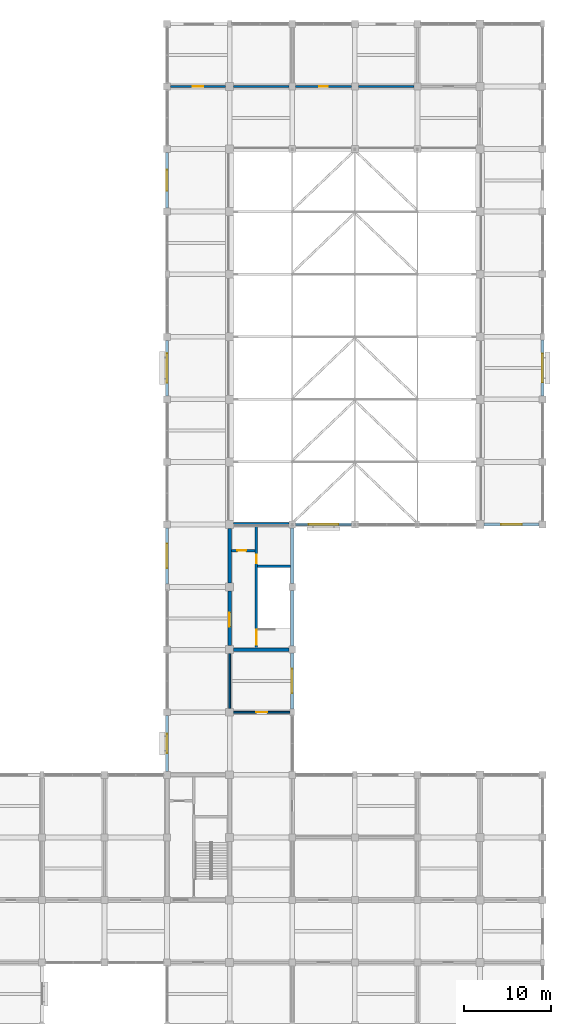
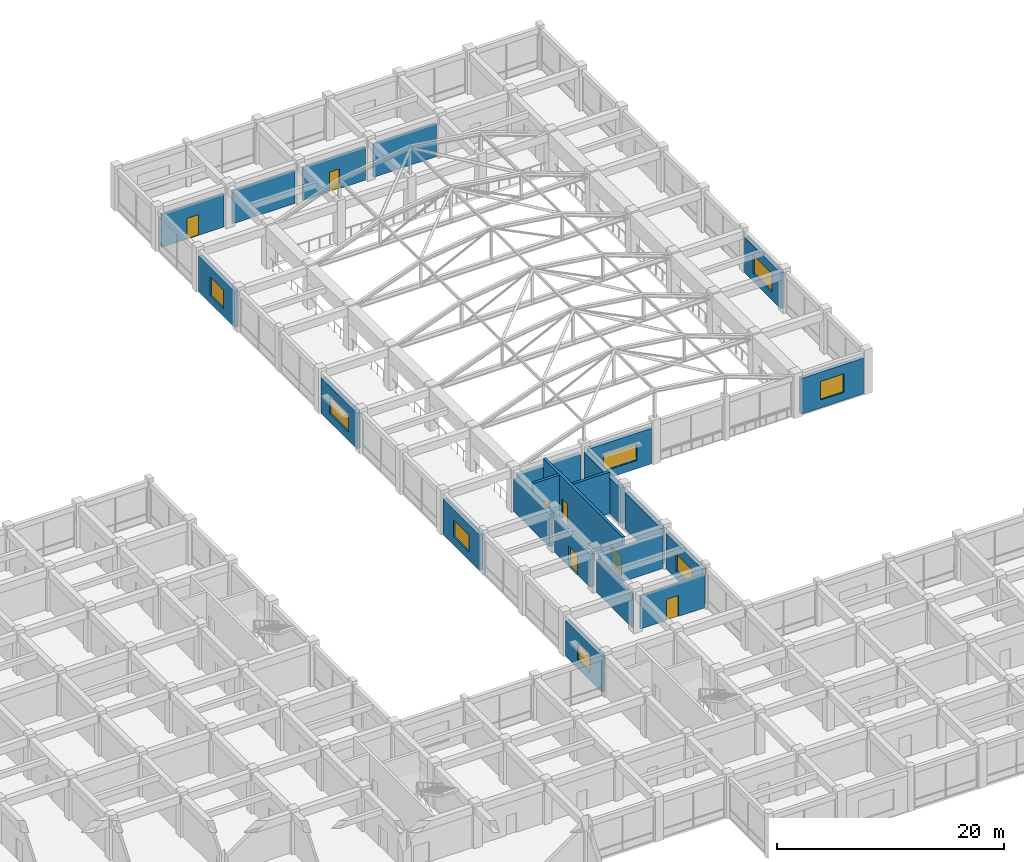
# One storey, part 64 of 75: 23 walls, 8 windows, 7 doors, 15 openings.
"""IFC4 building model written with IfcOpenShell, lengths in metres."""

from ifc_helpers import new_model, si_unit, direction, frame, frame_2d, origin, place, context, subcontext, project, spatial, rectangle, extrude, material, layer, layer_set, type_object, element, fill, save


model = new_model("IFC4")

# Units and contexts
model_context = context("Model", 3, precision=1e-05, world=origin(), true_north=direction((0.0, 1.0)))
body_context = subcontext(model_context, "Body", "Model", "MODEL_VIEW")
ifc_project = project(units=[si_unit("LENGTHUNIT", "METRE"), si_unit("AREAUNIT", "SQUARE_METRE"), si_unit("VOLUMEUNIT", "CUBIC_METRE"), si_unit("PLANEANGLEUNIT", "RADIAN"), si_unit("MASSUNIT", "GRAM", prefix="KILO")], contexts=[model_context])

# Site, building, storey
site_placement = place(None, origin())
site = spatial("IfcSite", under=ifc_project, at=site_placement, CompositionType="ELEMENT")
building_placement = place(site_placement, origin())
building = spatial("IfcBuilding", under=site, at=building_placement, Name="Cendaluz Park School", CompositionType="ELEMENT")
storey_placement = place(building_placement, frame((0.0, 0.0, 4.800048828125)))
storey = spatial("IfcBuildingStorey", under=building, at=storey_placement, Name="L01", CompositionType="ELEMENT", Elevation=4.800048828125)

# Wall, opening, door
ifc_material_1 = material(Name="Gypsum Plasterboard on Cold-Formed Stud", Category="gypsum")
ifc_layer_1 = layer(ifc_material_1, 0.199951171875)
ifc_layer_set_1 = layer_set([ifc_layer_1], Name="Gypsum Plasterboard on Cold-Formed Stud")
wall_type_1 = type_object("IfcWallType", Name="W-AC20", PredefinedType="PARTITIONING", material=ifc_layer_set_1)
wall_1_placement = place(storey_placement, frame((130.0, 108.0, 0.0), z_axis=(0.0, 0.0, 1.0), x_axis=(1.0, 0.0, 0.0)))
wall_1 = element("IfcWall", 1, at=wall_1_placement, inside=storey, type_object=wall_type_1, Name="WL-FB-CA7", PredefinedType="PARTITIONING", context=body_context, shape_type="SweptSolid", body=[
    extrude(rectangle(XDim=6.35009765625, YDim=0.199951171875, at=frame_2d((3.175048828125, 0.0))), origin(), (0.0, 0.0, 1.0), 3.579833984375),
])
opening_1_placement = place(wall_1_placement, frame((2.574951171875, 0.0, 0.0)))
opening_1 = element("IfcOpeningElement", 2, at=opening_1_placement, cuts=wall_1, Name="Opening DCL-08", PredefinedType="OPENING", context=body_context, shape_type="SweptSolid", body=[
    extrude(rectangle(XDim=1.199951171875, YDim=2.239990234375, at=frame_2d((0.60009765625, 1.1201171875))), frame((0.0, 0.112060546875, 0.0), z_axis=(0.0, -1.0, 0.0), x_axis=(1.0, 0.0, 0.0)), (0.0, 0.0, 1.0), 0.223876953125),
])
ifc_material_2 = material(Name="Solid Core Hardwood", Category="wood")
door_type_1 = type_object("IfcDoorType", Name="DCL-08", OperationType="NOTDEFINED", PredefinedType="DOOR", material=ifc_material_2)
door_1_placement = place(opening_1_placement, origin())
door_1 = element("IfcDoor", 3, at=door_1_placement, inside=storey, type_object=door_type_1, Name="D-L01-080", OperationType="SINGLE_SWING_RIGHT", OverallHeight=2.239990234375, OverallWidth=1.199951171875, PredefinedType="DOOR", context=body_context, shape_type="SweptSolid", body=[
    extrude(rectangle(XDim=1.199951171875, YDim=2.239990234375, at=frame_2d((0.60009765625, 1.1201171875))), frame((0.0, 0.02490234375, 0.0), z_axis=(0.0, -1.0, 0.0), x_axis=(1.0, 0.0, 0.0)), (0.0, 0.0, 1.0), 0.050048828125),
])
fill(opening_1, door_1)

# Wall
wall_2_placement = place(storey_placement, frame((137.25, 108.0, 0.0), z_axis=(0.0, 0.0, 1.0), x_axis=(1.0, 0.0, 0.0)))
element("IfcWall", 4, at=wall_2_placement, inside=storey, type_object=wall_type_1, Name="WL-FB-CA8", PredefinedType="PARTITIONING", context=body_context, shape_type="SweptSolid", body=[
    extrude(rectangle(XDim=6.35009765625, YDim=0.199951171875, at=frame_2d((3.175048828125, 0.0))), origin(), (0.0, 0.0, 1.0), 3.579833984375),
])

# Wall, opening, door
wall_3_placement = place(storey_placement, frame((137.25, 36.0, 0.0), z_axis=(0.0, 0.0, 1.0), x_axis=(1.0, 0.0, 0.0)))
wall_3 = element("IfcWall", 5, at=wall_3_placement, inside=storey, type_object=wall_type_1, Name="WL-FB-CB0", PredefinedType="PARTITIONING", context=body_context, shape_type="SweptSolid", body=[
    extrude(rectangle(XDim=6.5, YDim=0.199951171875, at=frame_2d((3.25, 0.0))), origin(), (0.0, 0.0, 1.0), 3.579833984375),
])
opening_2_placement = place(wall_3_placement, frame((2.6298828125, 0.0, 0.0)))
opening_2 = element("IfcOpeningElement", 6, at=opening_2_placement, cuts=wall_3, Name="Opening DCL-09", PredefinedType="OPENING", context=body_context, shape_type="SweptSolid", body=[
    extrude(rectangle(XDim=1.239990234375, YDim=2.260009765625, at=frame_2d((0.6201171875, 1.1298828125))), frame((0.0, 0.112060546875, 0.0), z_axis=(0.0, -1.0, 0.0), x_axis=(1.0, 0.0, 0.0)), (0.0, 0.0, 1.0), 0.223876953125),
])
door_type_2 = type_object("IfcDoorType", Name="DCL-09", OperationType="NOTDEFINED", PredefinedType="DOOR", material=ifc_material_2)
door_2_placement = place(opening_2_placement, origin())
door_2 = element("IfcDoor", 7, at=door_2_placement, inside=storey, type_object=door_type_2, Name="D-L01-081", OperationType="SINGLE_SWING_LEFT", OverallHeight=2.260009765625, OverallWidth=1.239990234375, PredefinedType="DOOR", context=body_context, shape_type="SweptSolid", body=[
    extrude(rectangle(XDim=1.239990234375, YDim=2.260009765625, at=frame_2d((0.6201171875, 1.1298828125))), frame((0.0, 0.02490234375, 0.0), z_axis=(0.0, -1.0, 0.0), x_axis=(1.0, 0.0, 0.0)), (0.0, 0.0, 1.0), 0.050048828125),
])
fill(opening_2, door_2)

# Wall
wall_4_placement = place(storey_placement, frame((136.800048828125, 36.449951171875, 0.0), z_axis=(0.0, 0.0, 1.0), x_axis=(0.0, 1.0, 0.0)))
element("IfcWall", 8, at=wall_4_placement, inside=storey, type_object=wall_type_1, Name="WL-FB-CB1", PredefinedType="PARTITIONING", context=body_context, shape_type="SweptSolid", body=[
    extrude(rectangle(XDim=6.300048828125, YDim=0.199951171875, at=frame_2d((3.14990234375, 0.0))), origin(), (0.0, 0.0, 1.0), 3.579833984375),
])

# Wall, opening, door
wall_5_placement = place(storey_placement, frame((144.39990234375, 108.0, 0.0), z_axis=(0.0, 0.0, 1.0), x_axis=(1.0, 0.0, 0.0)))
wall_5 = element("IfcWall", 9, at=wall_5_placement, inside=storey, type_object=wall_type_1, Name="WL-FB-CB8", PredefinedType="PARTITIONING", context=body_context, shape_type="SweptSolid", body=[
    extrude(rectangle(XDim=6.400146484375, YDim=0.199951171875, at=frame_2d((3.2001953125, 0.0))), origin(), (0.0, 0.0, 1.0), 3.579833984375),
])
opening_3_placement = place(wall_5_placement, frame((2.68994140625, 0.0, 0.0)))
opening_3 = element("IfcOpeningElement", 10, at=opening_3_placement, cuts=wall_5, Name="Opening DCL-02", PredefinedType="OPENING", context=body_context, shape_type="SweptSolid", body=[
    extrude(rectangle(XDim=1.02001953125, YDim=2.1201171875, at=frame_2d((0.510009765625, 1.06005859375))), frame((0.0, 0.112060546875, 0.0), z_axis=(0.0, -1.0, 0.0), x_axis=(1.0, 0.0, 0.0)), (0.0, 0.0, 1.0), 0.223876953125),
])
door_type_3 = type_object("IfcDoorType", Name="DCL-02", OperationType="NOTDEFINED", PredefinedType="DOOR", material=ifc_material_2)
door_3_placement = place(opening_3_placement, origin())
door_3 = element("IfcDoor", 11, at=door_3_placement, inside=storey, type_object=door_type_3, Name="D-L01-084", OperationType="SINGLE_SWING_RIGHT", OverallHeight=2.1201171875, OverallWidth=1.02001953125, PredefinedType="DOOR", context=body_context, shape_type="SweptSolid", body=[
    extrude(rectangle(XDim=1.02001953125, YDim=2.1201171875, at=frame_2d((0.510009765625, 1.06005859375))), frame((0.0, 0.02490234375, 0.0), z_axis=(0.0, -1.0, 0.0), x_axis=(1.0, 0.0, 0.0)), (0.0, 0.0, 1.0), 0.050048828125),
])
fill(opening_3, door_3)

# Wall
wall_6_placement = place(storey_placement, frame((151.60009765625, 108.0, 0.0), z_axis=(0.0, 0.0, 1.0), x_axis=(1.0, 0.0, 0.0)))
element("IfcWall", 12, at=wall_6_placement, inside=storey, type_object=wall_type_1, Name="WL-FB-CB9", PredefinedType="PARTITIONING", context=body_context, shape_type="SweptSolid", body=[
    extrude(rectangle(XDim=6.39990234375, YDim=0.199951171875, at=frame_2d((3.199951171875, 0.0))), origin(), (0.0, 0.0, 1.0), 3.579833984375),
])

# Wall, opening, window
ifc_material_3 = material(Name="Concrete C40/50 precast", Category="concrete")
ifc_layer_2 = layer(ifc_material_3, 0.360107421875)
ifc_layer_set_2 = layer_set([ifc_layer_2], Name="Concrete C40/50 precast")
wall_type_2 = type_object("IfcWallType", Name="W-EX36", PredefinedType="SOLIDWALL", material=ifc_layer_set_2)
wall_7_placement = place(storey_placement, frame((129.60009765625, 29.199951171875, 0.0), z_axis=(0.0, 0.0, 1.0), x_axis=(0.0, 1.0, 0.0)))
wall_7 = element("IfcWall", 13, at=wall_7_placement, inside=storey, type_object=wall_type_2, Name="WL-FB-AC4", PredefinedType="SOLIDWALL", context=body_context, shape_type="SweptSolid", body=[
    extrude(rectangle(XDim=6.400146484375, YDim=0.360107421875, at=frame_2d((3.2001953125, 0.0))), origin(), (0.0, 0.0, 1.0), 3.849853515625),
])
opening_4_placement = place(wall_7_placement, frame((2.10009765625, 0.0, 0.89990234375)))
opening_4 = element("IfcOpeningElement", 14, at=opening_4_placement, cuts=wall_7, Name="Opening WN-03", PredefinedType="OPENING", context=body_context, shape_type="SweptSolid", body=[
    extrude(rectangle(XDim=2.199951171875, YDim=1.800048828125, at=frame_2d((1.10009765625, 0.89990234375))), frame((0.0, 0.192138671875, 0.0), z_axis=(0.0, -1.0, 0.0), x_axis=(1.0, 0.0, 0.0)), (0.0, 0.0, 1.0), 0.384033203125),
])
ifc_material_4 = material(Name="Tempered Low-E Double Glazing", Category="glass")
window_type_1 = type_object("IfcWindowType", Name="WN-03", PartitioningType="SINGLE_PANEL", PredefinedType="WINDOW", material=ifc_material_4)
window_1_placement = place(opening_4_placement, origin())
window_1 = element("IfcWindow", 15, at=window_1_placement, inside=storey, type_object=window_type_1, Name="WN-L01-025", OverallHeight=1.800048828125, OverallWidth=2.199951171875, PartitioningType="SINGLE_PANEL", PredefinedType="WINDOW", context=body_context, shape_type="SweptSolid", body=[
    extrude(rectangle(XDim=2.199951171875, YDim=1.800048828125, at=frame_2d((1.10009765625, 0.89990234375))), frame((0.0, 0.030029296875, 0.0), z_axis=(0.0, -1.0, 0.0), x_axis=(1.0, 0.0, 0.0)), (0.0, 0.0, 1.0), 0.06005859375),
])
fill(opening_4, window_1)

wall_8_placement = place(storey_placement, frame((129.60009765625, 50.77490234375, 0.0), z_axis=(0.0, 0.0, 1.0), x_axis=(0.0, 1.0, 0.0)))
wall_8 = element("IfcWall", 16, at=wall_8_placement, inside=storey, type_object=wall_type_2, Name="WL-FB-AC5", PredefinedType="SOLIDWALL", context=body_context, shape_type="SweptSolid", body=[
    extrude(rectangle(XDim=6.425048828125, YDim=0.360107421875, at=frame_2d((3.21240234375, 0.0))), origin(), (0.0, 0.0, 1.0), 3.849853515625),
])
opening_5_placement = place(wall_8_placement, frame((1.8125, 0.0, 0.89990234375)))
opening_5 = element("IfcOpeningElement", 17, at=opening_5_placement, cuts=wall_8, Name="Opening WN-06", PredefinedType="OPENING", context=body_context, shape_type="SweptSolid", body=[
    extrude(rectangle(XDim=2.800048828125, YDim=1.800048828125, at=frame_2d((1.39990234375, 0.89990234375))), frame((0.0, 0.192138671875, 0.0), z_axis=(0.0, -1.0, 0.0), x_axis=(1.0, 0.0, 0.0)), (0.0, 0.0, 1.0), 0.384033203125),
])
window_type_2 = type_object("IfcWindowType", Name="WN-06", PartitioningType="SINGLE_PANEL", PredefinedType="WINDOW", material=ifc_material_4)
window_2_placement = place(opening_5_placement, origin())
window_2 = element("IfcWindow", 18, at=window_2_placement, inside=storey, type_object=window_type_2, Name="WN-L01-026", OverallHeight=1.800048828125, OverallWidth=2.800048828125, PartitioningType="SINGLE_PANEL", PredefinedType="WINDOW", context=body_context, shape_type="SweptSolid", body=[
    extrude(rectangle(XDim=2.800048828125, YDim=1.800048828125, at=frame_2d((1.39990234375, 0.89990234375))), frame((0.0, 0.030029296875, 0.0), z_axis=(0.0, -1.0, 0.0), x_axis=(1.0, 0.0, 0.0)), (0.0, 0.0, 1.0), 0.06005859375),
])
fill(opening_5, window_2)

wall_9_placement = place(storey_placement, frame((129.60009765625, 72.39990234375, 0.0), z_axis=(0.0, 0.0, 1.0), x_axis=(0.0, 1.0, 0.0)))
wall_9 = element("IfcWall", 19, at=wall_9_placement, inside=storey, type_object=wall_type_2, Name="WL-FB-AC6", PredefinedType="SOLIDWALL", context=body_context, shape_type="SweptSolid", body=[
    extrude(rectangle(XDim=6.400146484375, YDim=0.360107421875, at=frame_2d((3.2001953125, 0.0))), origin(), (0.0, 0.0, 1.0), 3.849853515625),
])
opening_6_placement = place(wall_9_placement, frame((1.5, 0.0, 0.89990234375)))
opening_6 = element("IfcOpeningElement", 20, at=opening_6_placement, cuts=wall_9, Name="Opening WN-09", PredefinedType="OPENING", context=body_context, shape_type="SweptSolid", body=[
    extrude(rectangle(XDim=3.39990234375, YDim=1.800048828125, at=frame_2d((1.699951171875, 0.89990234375))), frame((0.0, 0.192138671875, 0.0), z_axis=(0.0, -1.0, 0.0), x_axis=(1.0, 0.0, 0.0)), (0.0, 0.0, 1.0), 0.384033203125),
])
window_type_3 = type_object("IfcWindowType", Name="WN-09", PartitioningType="SINGLE_PANEL", PredefinedType="WINDOW", material=ifc_material_4)
window_3_placement = place(opening_6_placement, origin())
window_3 = element("IfcWindow", 21, at=window_3_placement, inside=storey, type_object=window_type_3, Name="WN-L01-027", OverallHeight=1.800048828125, OverallWidth=3.39990234375, PartitioningType="SINGLE_PANEL", PredefinedType="WINDOW", context=body_context, shape_type="SweptSolid", body=[
    extrude(rectangle(XDim=3.39990234375, YDim=1.800048828125, at=frame_2d((1.699951171875, 0.89990234375))), frame((0.0, 0.030029296875, 0.0), z_axis=(0.0, -1.0, 0.0), x_axis=(1.0, 0.0, 0.0)), (0.0, 0.0, 1.0), 0.06005859375),
])
fill(opening_6, window_3)

wall_10_placement = place(storey_placement, frame((129.60009765625, 94.0, 0.0), z_axis=(0.0, 0.0, 1.0), x_axis=(0.0, 1.0, 0.0)))
wall_10 = element("IfcWall", 22, at=wall_10_placement, inside=storey, type_object=wall_type_2, Name="WL-FB-AC7", PredefinedType="SOLIDWALL", context=body_context, shape_type="SweptSolid", body=[
    extrude(rectangle(XDim=6.39990234375, YDim=0.360107421875, at=frame_2d((3.199951171875, 0.0))), origin(), (0.0, 0.0, 1.0), 3.849853515625),
])
opening_7_placement = place(wall_10_placement, frame((2.0, 0.0, 0.85009765625)))
opening_7 = element("IfcOpeningElement", 23, at=opening_7_placement, cuts=wall_10, Name="Opening WN-12", PredefinedType="OPENING", context=body_context, shape_type="SweptSolid", body=[
    extrude(rectangle(XDim=2.39990234375, YDim=2.0, at=frame_2d((1.199951171875, 1.0))), frame((0.0, 0.192138671875, 0.0), z_axis=(0.0, -1.0, 0.0), x_axis=(1.0, 0.0, 0.0)), (0.0, 0.0, 1.0), 0.384033203125),
])
window_type_4 = type_object("IfcWindowType", Name="WN-12", PartitioningType="SINGLE_PANEL", PredefinedType="WINDOW", material=ifc_material_4)
window_4_placement = place(opening_7_placement, origin())
window_4 = element("IfcWindow", 24, at=window_4_placement, inside=storey, type_object=window_type_4, Name="WN-L01-028", OverallHeight=2.0, OverallWidth=2.39990234375, PartitioningType="SINGLE_PANEL", PredefinedType="WINDOW", context=body_context, shape_type="SweptSolid", body=[
    extrude(rectangle(XDim=2.39990234375, YDim=2.0, at=frame_2d((1.199951171875, 1.0))), frame((0.0, 0.030029296875, 0.0), z_axis=(0.0, -1.0, 0.0), x_axis=(1.0, 0.0, 0.0)), (0.0, 0.0, 1.0), 0.06005859375),
])
fill(opening_7, window_4)

wall_11_placement = place(storey_placement, frame((144.0, 36.375, 0.0), z_axis=(0.0, 0.0, 1.0), x_axis=(0.0, 1.0, 0.0)))
wall_11 = element("IfcWall", 25, at=wall_11_placement, inside=storey, type_object=wall_type_2, Name="WL-FB-AD0", PredefinedType="SOLIDWALL", context=body_context, shape_type="SweptSolid", body=[
    extrude(rectangle(XDim=6.425048828125, YDim=0.360107421875, at=frame_2d((3.21240234375, 0.0))), origin(), (0.0, 0.0, 1.0), 3.849853515625),
])
opening_8_placement = place(wall_11_placement, frame((1.8125, 0.0, 0.89990234375)))
opening_8 = element("IfcOpeningElement", 26, at=opening_8_placement, cuts=wall_11, Name="Opening WN-06", PredefinedType="OPENING", context=body_context, shape_type="SweptSolid", body=[
    extrude(rectangle(XDim=2.800048828125, YDim=1.800048828125, at=frame_2d((1.39990234375, 0.89990234375))), frame((0.0, 0.192138671875, 0.0), z_axis=(0.0, -1.0, 0.0), x_axis=(1.0, 0.0, 0.0)), (0.0, 0.0, 1.0), 0.384033203125),
])
window_5_placement = place(opening_8_placement, origin())
window_5 = element("IfcWindow", 27, at=window_5_placement, inside=storey, type_object=window_type_2, Name="WN-L01-031", OverallHeight=1.800048828125, OverallWidth=2.800048828125, PartitioningType="SINGLE_PANEL", PredefinedType="WINDOW", context=body_context, shape_type="SweptSolid", body=[
    extrude(rectangle(XDim=2.800048828125, YDim=1.800048828125, at=frame_2d((1.39990234375, 0.89990234375))), frame((0.0, 0.030029296875, 0.0), z_axis=(0.0, -1.0, 0.0), x_axis=(1.0, 0.0, 0.0)), (0.0, 0.0, 1.0), 0.06005859375),
])
fill(opening_8, window_5)

wall_12_placement = place(storey_placement, frame((144.39990234375, 57.60009765625, 0.0), z_axis=(0.0, 0.0, 1.0), x_axis=(1.0, 0.0, 0.0)))
wall_12 = element("IfcWall", 28, at=wall_12_placement, inside=storey, type_object=wall_type_2, Name="WL-FB-AD1", PredefinedType="SOLIDWALL", context=body_context, shape_type="SweptSolid", body=[
    extrude(rectangle(XDim=6.400146484375, YDim=0.360107421875, at=frame_2d((3.2001953125, 0.0))), origin(), (0.0, 0.0, 1.0), 3.849853515625),
])
opening_9_placement = place(wall_12_placement, frame((1.5, 0.0, 0.89990234375)))
opening_9 = element("IfcOpeningElement", 29, at=opening_9_placement, cuts=wall_12, Name="Opening WN-09", PredefinedType="OPENING", context=body_context, shape_type="SweptSolid", body=[
    extrude(rectangle(XDim=3.39990234375, YDim=1.800048828125, at=frame_2d((1.699951171875, 0.89990234375))), frame((0.0, 0.192138671875, 0.0), z_axis=(0.0, -1.0, 0.0), x_axis=(1.0, 0.0, 0.0)), (0.0, 0.0, 1.0), 0.384033203125),
])
window_6_placement = place(opening_9_placement, origin())
window_6 = element("IfcWindow", 30, at=window_6_placement, inside=storey, type_object=window_type_3, Name="WN-L01-032", OverallHeight=1.800048828125, OverallWidth=3.39990234375, PartitioningType="SINGLE_PANEL", PredefinedType="WINDOW", context=body_context, shape_type="SweptSolid", body=[
    extrude(rectangle(XDim=3.39990234375, YDim=1.800048828125, at=frame_2d((1.699951171875, 0.89990234375))), frame((0.0, 0.030029296875, 0.0), z_axis=(0.0, -1.0, 0.0), x_axis=(1.0, 0.0, 0.0)), (0.0, 0.0, 1.0), 0.06005859375),
])
fill(opening_9, window_6)

wall_13_placement = place(storey_placement, frame((166.050048828125, 57.60009765625, 0.0), z_axis=(0.0, 0.0, 1.0), x_axis=(1.0, 0.0, 0.0)))
wall_13 = element("IfcWall", 31, at=wall_13_placement, inside=storey, type_object=wall_type_2, Name="WL-FB-AD6", PredefinedType="SOLIDWALL", context=body_context, shape_type="SweptSolid", body=[
    extrude(rectangle(XDim=6.349853515625, YDim=0.360107421875, at=frame_2d((3.1748046875, 0.0))), origin(), (0.0, 0.0, 1.0), 3.849853515625),
])
opening_10_placement = place(wall_13_placement, frame((1.97509765625, 0.0, 0.85009765625)))
opening_10 = element("IfcOpeningElement", 32, at=opening_10_placement, cuts=wall_13, Name="Opening WN-12", PredefinedType="OPENING", context=body_context, shape_type="SweptSolid", body=[
    extrude(rectangle(XDim=2.39990234375, YDim=2.0, at=frame_2d((1.199951171875, 1.0))), frame((0.0, 0.192138671875, 0.0), z_axis=(0.0, -1.0, 0.0), x_axis=(1.0, 0.0, 0.0)), (0.0, 0.0, 1.0), 0.384033203125),
])
window_7_placement = place(opening_10_placement, origin())
window_7 = element("IfcWindow", 33, at=window_7_placement, inside=storey, type_object=window_type_4, Name="WN-L01-037", OverallHeight=2.0, OverallWidth=2.39990234375, PartitioningType="SINGLE_PANEL", PredefinedType="WINDOW", context=body_context, shape_type="SweptSolid", body=[
    extrude(rectangle(XDim=2.39990234375, YDim=2.0, at=frame_2d((1.199951171875, 1.0))), frame((0.0, 0.030029296875, 0.0), z_axis=(0.0, -1.0, 0.0), x_axis=(1.0, 0.0, 0.0)), (0.0, 0.0, 1.0), 0.06005859375),
])
fill(opening_10, window_7)

wall_14_placement = place(storey_placement, frame((172.800048828125, 72.39990234375, 0.0), z_axis=(0.0, 0.0, 1.0), x_axis=(0.0, 1.0, 0.0)))
wall_14 = element("IfcWall", 34, at=wall_14_placement, inside=storey, type_object=wall_type_2, Name="WL-FB-AD7", PredefinedType="SOLIDWALL", context=body_context, shape_type="SweptSolid", body=[
    extrude(rectangle(XDim=6.425048828125, YDim=0.360107421875, at=frame_2d((3.21240234375, 0.0))), origin(), (0.0, 0.0, 1.0), 3.849853515625),
])
opening_11_placement = place(wall_14_placement, frame((1.5625, 0.0, 0.85009765625)))
opening_11 = element("IfcOpeningElement", 35, at=opening_11_placement, cuts=wall_14, Name="Opening WN-15", PredefinedType="OPENING", context=body_context, shape_type="SweptSolid", body=[
    extrude(rectangle(XDim=3.300048828125, YDim=2.0, at=frame_2d((1.64990234375, 1.0))), frame((0.0, 0.192138671875, 0.0), z_axis=(0.0, -1.0, 0.0), x_axis=(1.0, 0.0, 0.0)), (0.0, 0.0, 1.0), 0.384033203125),
])
window_type_5 = type_object("IfcWindowType", Name="WN-15", PartitioningType="SINGLE_PANEL", PredefinedType="WINDOW", material=ifc_material_4)
window_8_placement = place(opening_11_placement, origin())
window_8 = element("IfcWindow", 36, at=window_8_placement, inside=storey, type_object=window_type_5, Name="WN-L01-038", OverallHeight=2.0, OverallWidth=3.300048828125, PartitioningType="SINGLE_PANEL", PredefinedType="WINDOW", context=body_context, shape_type="SweptSolid", body=[
    extrude(rectangle(XDim=3.300048828125, YDim=2.0, at=frame_2d((1.64990234375, 1.0))), frame((0.0, 0.030029296875, 0.0), z_axis=(0.0, -1.0, 0.0), x_axis=(1.0, 0.0, 0.0)), (0.0, 0.0, 1.0), 0.06005859375),
])
fill(opening_11, window_8)

# Wall, openings, doors
ifc_material_5 = material(Name="Concrete C40/50", Category="concrete")
ifc_layer_3 = layer(ifc_material_5, 0.280029296875)
ifc_layer_set_3 = layer_set([ifc_layer_3], Name="Concrete C40/50")
wall_type_3 = type_object("IfcWallType", Name="W-FW28", PredefinedType="SHEAR", material=ifc_layer_set_3)
wall_15_placement = place(storey_placement, frame((139.8798828125, 43.39990234375, 0.0), z_axis=(0.0, 0.0, 1.0), x_axis=(0.0, 1.0, 0.0)))
wall_15 = element("IfcWall", 37, at=wall_15_placement, inside=storey, type_object=wall_type_3, Name="WL-FB-BO8", PredefinedType="SHEAR", context=body_context, shape_type="SweptSolid", body=[
    extrude(rectangle(XDim=14.0, YDim=0.280029296875, at=frame_2d((7.0, 0.0))), origin(), (0.0, 0.0, 1.0), 4.47998046875),
])
opening_12_placement = place(wall_15_placement, frame((0.35009765625, 0.0, 0.0)))
opening_12 = element("IfcOpeningElement", 38, at=opening_12_placement, cuts=wall_15, Name="Opening DST-03", PredefinedType="OPENING", context=body_context, shape_type="SweptSolid", body=[
    extrude(rectangle(XDim=1.75, YDim=2.14990234375, at=frame_2d((0.875, 1.074951171875))), frame((0.0, 0.152099609375, 0.0), z_axis=(0.0, -1.0, 0.0), x_axis=(1.0, 0.0, 0.0)), (0.0, 0.0, 1.0), 0.303955078125),
])
opening_13_placement = place(wall_15_placement, frame((9.719970703125, 0.0, 0.0)))
opening_13 = element("IfcOpeningElement", 39, at=opening_13_placement, cuts=wall_15, Name="Opening DFC-01", PredefinedType="OPENING", context=body_context, shape_type="SweptSolid", body=[
    extrude(rectangle(XDim=1.0, YDim=2.14990234375, at=frame_2d((0.5, 1.074951171875))), frame((0.0, 0.152099609375, 0.0), z_axis=(0.0, -1.0, 0.0), x_axis=(1.0, 0.0, 0.0)), (0.0, 0.0, 1.0), 0.303955078125),
])
door_type_4 = type_object("IfcDoorType", Name="DFC-01", OperationType="NOTDEFINED", PredefinedType="DOOR", material=ifc_material_2)
door_4_placement = place(opening_13_placement, frame((1.0, 0.0, 0.0), z_axis=(0.0, 0.0, 1.0), x_axis=(-1.0, 0.0, 0.0)))
door_4 = element("IfcDoor", 40, at=door_4_placement, inside=storey, type_object=door_type_4, Name="D-L01-033", OperationType="SINGLE_SWING_LEFT", OverallHeight=2.14990234375, OverallWidth=1.0, PredefinedType="DOOR", context=body_context, shape_type="SweptSolid", body=[
    extrude(rectangle(XDim=1.0, YDim=2.14990234375, at=frame_2d((0.5, 1.074951171875))), frame((0.0, 0.02490234375, 0.0), z_axis=(0.0, -1.0, 0.0), x_axis=(1.0, 0.0, 0.0)), (0.0, 0.0, 1.0), 0.050048828125),
])
fill(opening_13, door_4)
door_type_5 = type_object("IfcDoorType", Name="DST-03", OperationType="DOUBLE_DOOR_SINGLE_SWING", PredefinedType="DOOR", material=ifc_material_2)
door_5_placement = place(opening_12_placement, frame((1.75, 0.0, 0.0), z_axis=(0.0, 0.0, 1.0), x_axis=(-1.0, 0.0, 0.0)))
door_5 = element("IfcDoor", 41, at=door_5_placement, inside=storey, type_object=door_type_5, Name="D-L01-032", OperationType="DOUBLE_DOOR_SINGLE_SWING", OverallHeight=2.14990234375, OverallWidth=1.75, PredefinedType="DOOR", context=body_context, shape_type="SweptSolid", body=[
    extrude(rectangle(XDim=1.75, YDim=2.14990234375, at=frame_2d((0.875, 1.074951171875))), frame((0.0, 0.02490234375, 0.0), z_axis=(0.0, -1.0, 0.0), x_axis=(1.0, 0.0, 0.0)), (0.0, 0.0, 1.0), 0.050048828125),
])
fill(opening_12, door_5)

# Wall
wall_16_placement = place(storey_placement, frame((140.02001953125, 52.780029296875, 0.0), z_axis=(0.0, 0.0, 1.0), x_axis=(1.0, 0.0, 0.0)))
element("IfcWall", 42, at=wall_16_placement, inside=storey, type_object=wall_type_3, Name="WL-FB-BO9", PredefinedType="SHEAR", context=body_context, shape_type="SweptSolid", body=[
    extrude(rectangle(XDim=3.780029296875, YDim=0.280029296875, at=frame_2d((1.89013671875, 0.0))), origin(), (0.0, 0.0, 1.0), 4.47998046875),
])

# Wall, opening, door
wall_17_placement = place(storey_placement, frame((137.0400390625, 54.60009765625, 0.0), z_axis=(0.0, 0.0, 1.0), x_axis=(1.0, 0.0, 0.0)))
wall_17 = element("IfcWall", 43, at=wall_17_placement, inside=storey, type_object=wall_type_3, Name="WL-FB-BP0", PredefinedType="SHEAR", context=body_context, shape_type="SweptSolid", body=[
    extrude(rectangle(XDim=2.679931640625, YDim=0.280029296875, at=frame_2d((1.33984375, 0.0))), origin(), (0.0, 0.0, 1.0), 4.47998046875),
])
opening_14_placement = place(wall_17_placement, frame((0.64990234375, 0.0, 0.0)))
opening_14 = element("IfcOpeningElement", 44, at=opening_14_placement, cuts=wall_17, Name="Opening DFC-01", PredefinedType="OPENING", context=body_context, shape_type="SweptSolid", body=[
    extrude(rectangle(XDim=1.0, YDim=2.14990234375, at=frame_2d((0.5, 1.074951171875))), frame((0.0, 0.152099609375, 0.0), z_axis=(0.0, -1.0, 0.0), x_axis=(1.0, 0.0, 0.0)), (0.0, 0.0, 1.0), 0.303955078125),
])
door_6_placement = place(opening_14_placement, frame((1.0, 0.0, 0.0), z_axis=(0.0, 0.0, 1.0), x_axis=(-1.0, 0.0, 0.0)))
door_6 = element("IfcDoor", 45, at=door_6_placement, inside=storey, type_object=door_type_4, Name="D-L01-034", OperationType="SINGLE_SWING_RIGHT", OverallHeight=2.14990234375, OverallWidth=1.0, PredefinedType="DOOR", context=body_context, shape_type="SweptSolid", body=[
    extrude(rectangle(XDim=1.0, YDim=2.14990234375, at=frame_2d((0.5, 1.074951171875))), frame((0.0, 0.02490234375, 0.0), z_axis=(0.0, -1.0, 0.0), x_axis=(1.0, 0.0, 0.0)), (0.0, 0.0, 1.0), 0.050048828125),
])
fill(opening_14, door_6)

ifc_layer_4 = layer(ifc_material_5, 0.419921875)
ifc_layer_set_4 = layer_set([ifc_layer_4], Name="Concrete C40/50")
wall_type_4 = type_object("IfcWallType", Name="W-SH42", PredefinedType="SHEAR", material=ifc_layer_set_4)
wall_18_placement = place(storey_placement, frame((136.800048828125, 43.64990234375, 0.0), z_axis=(0.0, 0.0, 1.0), x_axis=(0.0, 1.0, 0.0)))
wall_18 = element("IfcWall", 46, at=wall_18_placement, inside=storey, type_object=wall_type_4, Name="WL-FB-BO2", PredefinedType="SHEAR", context=body_context, shape_type="SweptSolid", body=[
    extrude(rectangle(XDim=6.300048828125, YDim=0.419921875, at=frame_2d((3.14990234375, 0.0))), origin(), (0.0, 0.0, 1.0), 3.579833984375),
])
opening_15_placement = place(wall_18_placement, frame((2.199951171875, 0.0, 0.0)))
opening_15 = element("IfcOpeningElement", 47, at=opening_15_placement, cuts=wall_18, Name="Opening DLB-01", PredefinedType="OPENING", context=body_context, shape_type="SweptSolid", body=[
    extrude(rectangle(XDim=1.60009765625, YDim=2.199951171875, at=frame_2d((0.800048828125, 1.10009765625))), frame((0.0, 0.221923828125, 0.0), z_axis=(0.0, -1.0, 0.0), x_axis=(1.0, 0.0, 0.0)), (0.0, 0.0, 1.0), 0.44384765625),
])
door_type_6 = type_object("IfcDoorType", Name="DLB-01", OperationType="DOUBLE_DOOR_SINGLE_SWING", PredefinedType="DOOR", material=ifc_material_2)
door_7_placement = place(opening_15_placement, frame((1.60009765625, 0.0, 0.0), z_axis=(0.0, 0.0, 1.0), x_axis=(-1.0, 0.0, 0.0)))
door_7 = element("IfcDoor", 48, at=door_7_placement, inside=storey, type_object=door_type_6, Name="D-L01-031", OperationType="DOUBLE_DOOR_SINGLE_SWING", OverallHeight=2.199951171875, OverallWidth=1.60009765625, PredefinedType="DOOR", context=body_context, shape_type="SweptSolid", body=[
    extrude(rectangle(XDim=1.60009765625, YDim=2.199951171875, at=frame_2d((0.800048828125, 1.10009765625))), frame((0.0, 0.02490234375, 0.0), z_axis=(0.0, -1.0, 0.0), x_axis=(1.0, 0.0, 0.0)), (0.0, 0.0, 1.0), 0.050048828125),
])
fill(opening_15, door_7)

# Walls
wall_19_placement = place(storey_placement, frame((136.800048828125, 50.85009765625, 0.0), z_axis=(0.0, 0.0, 1.0), x_axis=(0.0, 1.0, 0.0)))
element("IfcWall", 49, at=wall_19_placement, inside=storey, type_object=wall_type_4, Name="WL-FB-BO3", PredefinedType="SHEAR", context=body_context, shape_type="SweptSolid", body=[
    extrude(rectangle(XDim=6.2998046875, YDim=0.419921875, at=frame_2d((3.14990234375, 0.0))), origin(), (0.0, 0.0, 1.0), 3.579833984375),
])
for number, where, z_axis, x_axis, name in (
    (50, (144.0, 43.60009765625, 0.0), (0.0, 0.0, 1.0), (0.0, 1.0, 0.0), "WL-FB-BO4"),
    (51, (144.0, 50.800048828125, 0.0), (0.0, 0.0, 1.0), (0.0, 1.0, 0.0), "WL-FB-BO5"),
):
    element("IfcWall", number, at=place(storey_placement, frame(where, z_axis=z_axis, x_axis=x_axis)), inside=storey, type_object=wall_type_4, Name=name, PredefinedType="SHEAR", context=body_context, shape_type="SweptSolid", body=[
        extrude(rectangle(XDim=6.39990234375, YDim=0.419921875, at=frame_2d((3.199951171875, 0.0))), origin(), (0.0, 0.0, 1.0), 3.849853515625),
    ])
for number, where, z_axis, x_axis, name in (
    (52, (137.25, 43.199951171875, 0.0), (0.0, 0.0, 1.0), (1.0, 0.0, 0.0), "WL-FB-BO6"),
    (53, (137.25, 57.60009765625, 0.0), (0.0, 0.0, 1.0), (1.0, 0.0, 0.0), "WL-FB-BO7"),
):
    element("IfcWall", number, at=place(storey_placement, frame(where, z_axis=z_axis, x_axis=x_axis)), inside=storey, type_object=wall_type_4, Name=name, PredefinedType="SHEAR", context=body_context, shape_type="SweptSolid", body=[
        extrude(rectangle(XDim=6.35009765625, YDim=0.419921875, at=frame_2d((3.175048828125, 0.0))), origin(), (0.0, 0.0, 1.0), 3.579833984375),
    ])

save(model, "model.ifc")
